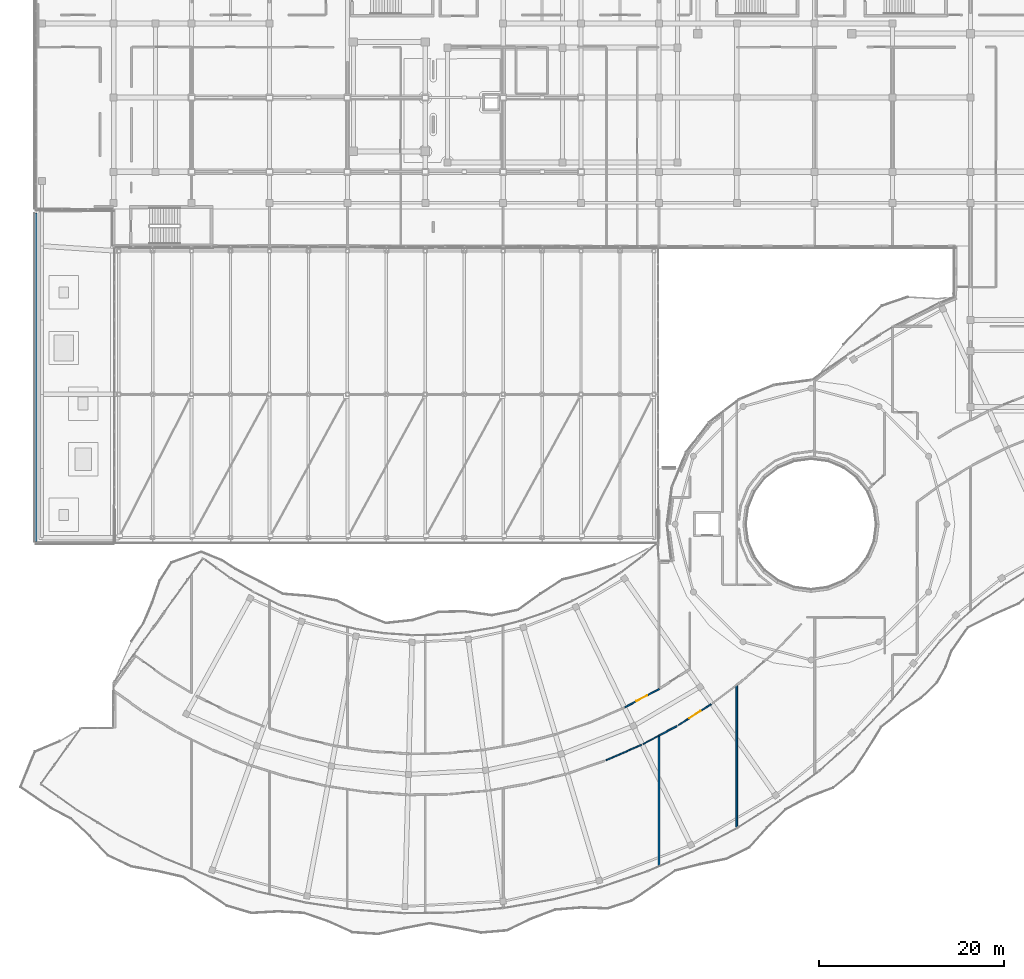
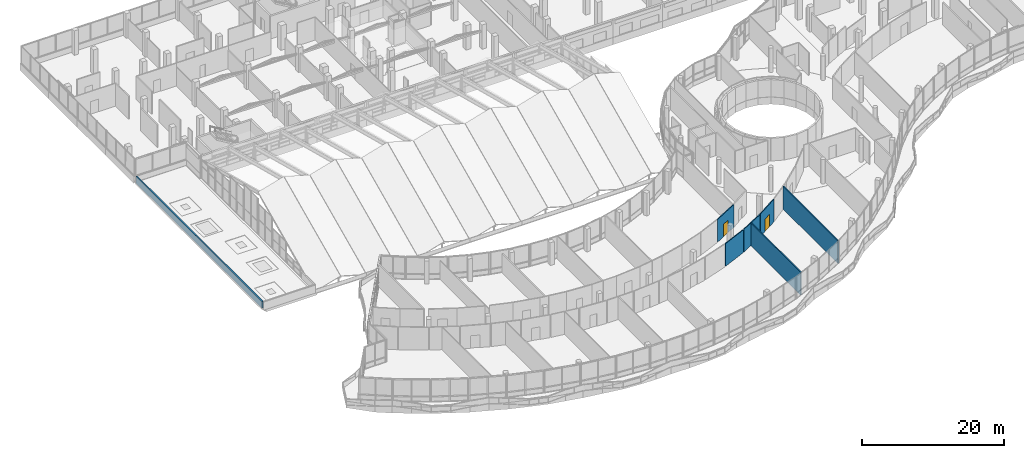
# One storey, part 161 of 184: 8 walls, 2 doors, 2 openings.
"""IFC4 building model written with IfcOpenShell, lengths in metres."""

import ifcopenshell
import ifcopenshell.guid

model = None  # the IFC model being written
_history = None  # IfcOwnerHistory: only IFC2X3 demands one
_inside = {}  # id of a spatial element -> (the spatial element, [elements in it])
_under = {}  # id of a project, library or spatial element -> (it, [spatial elements below it])
_declared = {}  # id of a project -> (the project, [libraries it declares])
_typed = {}  # id of a type object -> (the type object, [elements of that type])
_made_of = {}  # id of a material, layer set ... -> (it, [elements and type objects made of it])


def new_model(schema):
    """Start an empty IFC model of exactly this schema.

    Asked for "IFC4X3", IfcOpenShell would pick the latest addendum, in which some entities
    have other attributes; the version numbers below select the first issue.
    IFC2X3 requires an IfcOwnerHistory on every rooted entity: one is made here for all.
    """
    global model, _history
    if schema == "IFC4X3":
        model = ifcopenshell.file(schema_version=(4, 3, 0, 0))
    else:
        model = ifcopenshell.file(schema=schema)
    _inside.clear()
    _under.clear()
    _declared.clear()
    _typed.clear()
    _made_of.clear()
    _history = None
    if model.schema == "IFC2X3":
        org = make("IfcOrganization", Name="unknown")
        user = make(
            "IfcPersonAndOrganization",
            ThePerson=make("IfcPerson", FamilyName="unknown"),
            TheOrganization=org,
        )
        app = make(
            "IfcApplication",
            ApplicationDeveloper=org,
            Version="unknown",
            ApplicationFullName="unknown",
            ApplicationIdentifier="unknown",
        )
        _history = make(
            "IfcOwnerHistory",
            OwningUser=user,
            OwningApplication=app,
            ChangeAction="ADDED",
            CreationDate=0,
        )
    return model


def make(cls, **values):
    """One entity of the class cls with the attributes given. An attribute that is None is left unset."""
    return model.create_entity(
        cls, **{name: value for name, value in values.items() if value is not None}
    )


def rooted(cls, **values):
    """An entity with a GlobalId (a new one), such as an element, a storey or a relation."""
    return make(cls, GlobalId=ifcopenshell.guid.new(), OwnerHistory=_history, **values)


def si_unit(unit_type, name, prefix=None):
    """IfcSIUnit, for example si_unit("LENGTHUNIT", "METRE", prefix="MILLI")."""
    return make("IfcSIUnit", UnitType=unit_type, Prefix=prefix, Name=name)


def assignment(units):
    """IfcUnitAssignment: the units of a project."""
    return None if units is None else make("IfcUnitAssignment", Units=units)


def point(xyz):
    """IfcCartesianPoint."""
    return None if xyz is None else make("IfcCartesianPoint", Coordinates=xyz)


def direction(xyz):
    """IfcDirection."""
    return None if xyz is None else make("IfcDirection", DirectionRatios=xyz)


def frame(location, z_axis=None, x_axis=None):
    """IfcAxis2Placement3D, a coordinate frame: its origin and axes. An axis left out is left unset."""
    return make(
        "IfcAxis2Placement3D",
        Location=point(location),
        Axis=direction(z_axis),
        RefDirection=direction(x_axis),
    )


def frame_2d(location, x_axis=None):
    """IfcAxis2Placement2D, a coordinate frame in the plane: its origin and x axis."""
    return make(
        "IfcAxis2Placement2D", Location=point(location), RefDirection=direction(x_axis)
    )


def origin():
    """The frame at (0, 0, 0) with its axes left unset."""
    return frame((0.0, 0.0, 0.0))


def place(relative_to, where):
    """IfcLocalPlacement: puts the frame where relative to a parent placement (None: the world)."""
    return make(
        "IfcLocalPlacement", PlacementRelTo=relative_to, RelativePlacement=where
    )


def context(
    kind, dimensions, precision=None, world=None, true_north=None, identifier=None
):
    """IfcGeometricRepresentationContext, for example the 3D "Model" context."""
    return make(
        "IfcGeometricRepresentationContext",
        ContextIdentifier=identifier,
        ContextType=kind,
        CoordinateSpaceDimension=dimensions,
        Precision=precision,
        WorldCoordinateSystem=world,
        TrueNorth=true_north,
    )


def subcontext(parent, identifier, kind, view, scale=None):
    """IfcGeometricRepresentationSubContext, for example "Body" below "Model"."""
    return make(
        "IfcGeometricRepresentationSubContext",
        ContextIdentifier=identifier,
        ContextType=kind,
        ParentContext=parent,
        TargetScale=scale,
        TargetView=view,
    )


def project(units=None, contexts=None):
    """IfcProject with its units and contexts."""
    return rooted(
        "IfcProject",
        Name="project",
        RepresentationContexts=contexts,
        UnitsInContext=assignment(units),
    )


def spatial(cls, under=None, at=None, **own):
    """A site, building, storey or space (cls), placed at a placement, below another one or the project."""
    s = rooted(cls, ObjectPlacement=at, **own)
    if under is not None:
        _under.setdefault(under.id(), (under, []))[1].append(s)
    return s


def profile(cls, at=None, kind="AREA", **sizes):
    """A parametric profile (cls). Its sizes go by their IFC names, for example OverallWidth=200.0."""
    return make(cls, ProfileType=kind, Position=at, **sizes)


def rectangle(**sizes):
    """IfcRectangleProfileDef."""
    return profile("IfcRectangleProfileDef", **sizes)


def extrude(swept, where, along, depth):
    """IfcExtrudedAreaSolid: the profile swept, set in the frame where, extruded along a direction by depth."""
    return make(
        "IfcExtrudedAreaSolid",
        SweptArea=swept,
        Position=where,
        ExtrudedDirection=direction(along),
        Depth=depth,
    )


def shape(context_of_items, identifier, shape_type, items):
    """IfcShapeRepresentation: the items that make up one representation, for example the "Body"."""
    return make(
        "IfcShapeRepresentation",
        ContextOfItems=context_of_items,
        RepresentationIdentifier=identifier,
        RepresentationType=shape_type,
        Items=items,
    )


def material(Name=None, Category=None):
    """IfcMaterial."""
    return make("IfcMaterial", Name=Name, Category=Category)


def layer(
    of_material, thickness, ventilated=None, Name=None, Category=None, Priority=None
):
    """IfcMaterialLayer: one layer of a wall or slab, of a material (None: an air gap)."""
    return make(
        "IfcMaterialLayer",
        Material=of_material,
        LayerThickness=thickness,
        IsVentilated=ventilated,
        Name=Name,
        Category=Category,
        Priority=Priority,
    )


def layer_set(layers, Name=None):
    """IfcMaterialLayerSet."""
    return make("IfcMaterialLayerSet", MaterialLayers=layers, LayerSetName=Name)


def made_of(thing, what):
    """Note that an element or type object is made of a material, layer set ...; save() writes the relation."""
    if what is not None:
        _made_of.setdefault(what.id(), (what, []))[1].append(thing)
    return thing


def type_object(cls, material=None, **own):
    """A type object (cls), such as IfcWallType, which elements share."""
    return made_of(rooted(cls, **own), material)


def element(
    cls,
    number,
    at=None,
    inside=None,
    cuts=None,
    type_object=None,
    material=None,
    context=None,
    identifier="Body",
    shape_type=None,
    held_by="IfcProductDefinitionShape",
    body=None,
    shapes=None,
    **own,
):
    """One element of the class cls, such as IfcWall. Its Tag is "e" and its number.

    at: its placement. inside: the storey or other place that contains it. cuts: it is an
    opening in that element (IfcRelVoidsElement). A single representation is given by context,
    identifier, shape_type and body (its items); several are given by shapes. held_by: the class
    of the entity that holds the representations. save() writes the other relations.
    """
    e = rooted(cls, Tag="e%d" % number, ObjectPlacement=at, **own)
    if body is not None:
        shapes = [shape(context, identifier, shape_type, body)]
    if shapes is not None:
        e.Representation = make(held_by, Representations=shapes)
    if inside is not None:
        _inside.setdefault(inside.id(), (inside, []))[1].append(e)
    if cuts is not None:
        rooted(
            "IfcRelVoidsElement", RelatingBuildingElement=cuts, RelatedOpeningElement=e
        )
    if type_object is not None:
        _typed.setdefault(type_object.id(), (type_object, []))[1].append(e)
    return made_of(e, material)


def fill(opening, filler):
    """IfcRelFillsElement: the door or window that sits in an opening."""
    return rooted(
        "IfcRelFillsElement",
        RelatingOpeningElement=opening,
        RelatedBuildingElement=filler,
    )


def aggregate(whole, parts):
    """IfcRelAggregates: a whole, such as a stair, and the parts it consists of."""
    return rooted("IfcRelAggregates", RelatingObject=whole, RelatedObjects=parts)


def save(model, path):
    """Write the relations noted so far, then the file.

    IfcRelAggregates (storeys below a building ...), IfcRelContainedInSpatialStructure (elements
    in a storey), IfcRelDefinesByType, IfcRelAssociatesMaterial and IfcRelDeclares: one each for
    every whole, place, type object, material and project.
    """
    for whole, parts in _under.values():
        aggregate(whole, parts)
    for where, things in _inside.values():
        rooted(
            "IfcRelContainedInSpatialStructure",
            RelatedElements=things,
            RelatingStructure=where,
        )
    for kind, things in _typed.values():
        rooted("IfcRelDefinesByType", RelatedObjects=things, RelatingType=kind)
    for what, things in _made_of.values():
        rooted("IfcRelAssociatesMaterial", RelatedObjects=things, RelatingMaterial=what)
    for by, libraries in _declared.values():
        rooted("IfcRelDeclares", RelatingContext=by, RelatedDefinitions=libraries)
    model.write(path)


model = new_model("IFC4")

# Units and contexts
model_context = context("Model", 3, precision=1e-05, world=origin(), true_north=direction((0.0, 1.0)))
body_context = subcontext(model_context, "Body", "Model", "MODEL_VIEW")
ifc_project = project(units=[si_unit("LENGTHUNIT", "METRE"), si_unit("AREAUNIT", "SQUARE_METRE"), si_unit("VOLUMEUNIT", "CUBIC_METRE"), si_unit("PLANEANGLEUNIT", "RADIAN"), si_unit("MASSUNIT", "GRAM", prefix="KILO")], contexts=[model_context])

# Site, building, storey
site_placement = place(None, origin())
site = spatial("IfcSite", under=ifc_project, at=site_placement, CompositionType="ELEMENT")
building_placement = place(site_placement, origin())
building = spatial("IfcBuilding", under=site, at=building_placement, Name="Selatvlak General Hospital", CompositionType="ELEMENT")
storey_placement = place(building_placement, frame((0.0, 0.0, 15.0)))
storey = spatial("IfcBuildingStorey", under=building, at=storey_placement, Name="L03", CompositionType="ELEMENT", Elevation=15.0)

# Walls
ifc_material_1 = material(Name="Precast concrete C40/50 - white fair-faced", Category="concrete")
ifc_layer_1 = layer(ifc_material_1, 0.219970703125, Name="Precast concrete C40/50 - white fair-faced", Category="concrete")
ifc_layer_set_1 = layer_set([ifc_layer_1], Name="Precast concrete C40/50 - white fair-faced")
wall_type_1 = type_object("IfcWallType", Name="WALL-PR-02", PredefinedType="PARAPET", material=ifc_layer_set_1)
wall_1_placement = place(storey_placement, frame((14.39990234375, 52.10791015625, 0.050048828125), z_axis=(0.0, 0.0, 1.0), x_axis=(0.0, 1.0, 0.0)))
element("IfcWall", 1, at=wall_1_placement, inside=storey, type_object=wall_type_1, Name="L03 roof parapet upstand PAR-L03-030", PredefinedType="PARAPET", context=body_context, shape_type="SweptSolid", body=[
    extrude(rectangle(XDim=35.43212890625, YDim=0.219970703125, at=frame_2d((17.716064453125, 0.0))), origin(), (0.0, 0.0, 1.0), 1.14990234375),
])
ifc_material_2 = material(Name="Acoustic gypsum stud partition")
ifc_layer_2 = layer(ifc_material_2, 0.179931640625, Name="Acoustic gypsum stud partition")
ifc_layer_set_2 = layer_set([ifc_layer_2], Name="Acoustic gypsum stud partition")
wall_type_2 = type_object("IfcWallType", Name="WALL-PT-01", PredefinedType="PARTITIONING", material=ifc_layer_set_2)
wall_2_placement = place(storey_placement, frame((81.60009765625, 31.133056640625, 0.0), z_axis=(0.0, 0.0, 1.0), x_axis=(0.0, -1.0, 0.0)))
element("IfcWall", 2, at=wall_2_placement, inside=storey, type_object=wall_type_2, Name="L03 clinical partition PT-L03-1425", PredefinedType="PARTITIONING", context=body_context, shape_type="SweptSolid", body=[
    extrude(rectangle(XDim=14.0380859375, YDim=0.179931640625, at=frame_2d((7.01904296875, 0.0))), origin(), (0.0, 0.0, 1.0), 3.89501953125),
])
wall_3_placement = place(storey_placement, frame((90.0, 36.60400390625, 0.0), z_axis=(0.0, 0.0, 1.0), x_axis=(0.0, -1.0, 0.0)))
element("IfcWall", 3, at=wall_3_placement, inside=storey, type_object=wall_type_2, Name="L03 clinical partition PT-L03-1435", PredefinedType="PARTITIONING", context=body_context, shape_type="SweptSolid", body=[
    extrude(rectangle(XDim=15.39794921875, YDim=0.179931640625, at=frame_2d((7.698974609375, 0.0))), origin(), (0.0, 0.0, 1.0), 3.89501953125),
])

# Wall, opening, door
ifc_layer_3 = layer(ifc_material_2, 0.14990234375, Name="Acoustic gypsum stud partition")
ifc_layer_set_3 = layer_set([ifc_layer_3], Name="Acoustic gypsum stud partition")
wall_type_3 = type_object("IfcWallType", Name="WALL-PT-03", PredefinedType="PARTITIONING", material=ifc_layer_set_3)
wall_4_placement = place(storey_placement, frame((81.638916015625, 36.22607421875, 0.0), z_axis=(0.0, 0.0, 1.0), x_axis=(-0.882373557975, -0.470549576758, 0.0)))
wall_4 = element("IfcWall", 4, at=wall_4_placement, inside=storey, type_object=wall_type_3, Name="L03 clinical partition PT-L03-1427", PredefinedType="PARTITIONING", context=body_context, shape_type="SweptSolid", body=[
    extrude(rectangle(XDim=4.26123046875, YDim=0.14990234375, at=frame_2d((2.130615234375, 0.0))), origin(), (0.0, 0.0, 1.0), 3.89501953125),
])
opening_1_placement = place(wall_4_placement, frame((1.48095703125, 0.0, 0.0)))
opening_1 = element("IfcOpeningElement", 5, at=opening_1_placement, cuts=wall_4, Name="Opening D-24", PredefinedType="OPENING", context=body_context, shape_type="SweptSolid", body=[
    extrude(rectangle(XDim=1.300048828125, YDim=2.14990234375, at=frame_2d((0.64990234375, 1.074951171875))), frame((0.0, 0.0849609375, 0.0), z_axis=(0.0, -1.0, 0.0), x_axis=(1.0, 0.0, 0.0)), (0.0, 0.0, 1.0), 0.169921875),
])
ifc_material_3 = material(Name="Oncology bay door")
door_type_1 = type_object("IfcDoorType", Name="DOOR-D-24", OperationType="NOTDEFINED", PredefinedType="DOOR", material=ifc_material_3)
door_1_placement = place(opening_1_placement, origin())
door_1 = element("IfcDoor", 6, at=door_1_placement, inside=storey, type_object=door_type_1, Name="L03 Renal Haemodialysis Suite 11 door", OperationType="SINGLE_SWING_RIGHT", OverallHeight=2.14990234375, OverallWidth=1.300048828125, PredefinedType="DOOR", context=body_context, shape_type="SweptSolid", body=[
    extrude(rectangle(XDim=1.300048828125, YDim=2.14990234375, at=frame_2d((0.64990234375, 1.074951171875))), frame((0.0, 0.02490234375, 0.0), z_axis=(0.0, -1.0, 0.0), x_axis=(1.0, 0.0, 0.0)), (0.0, 0.0, 1.0), 0.050048828125),
])
fill(opening_1, door_1)

# Walls
wall_5_placement = place(storey_placement, frame((81.60009765625, 31.196044921875, 0.0), z_axis=(0.0, 0.0, 1.0), x_axis=(0.882365080709, 0.470565472963, 0.0)))
element("IfcWall", 7, at=wall_5_placement, inside=storey, type_object=wall_type_3, Name="L03 clinical partition PT-L03-1432", PredefinedType="PARTITIONING", context=body_context, shape_type="SweptSolid", body=[
    extrude(rectangle(XDim=2.226806640625, YDim=0.14990234375, at=frame_2d((1.11328125, 0.0))), origin(), (0.0, 0.0, 1.0), 3.89501953125),
])
ifc_material_4 = material(Name="Moisture-resistant clinical partition")
ifc_layer_4 = layer(ifc_material_4, 0.135009765625, Name="Moisture-resistant clinical partition")
ifc_layer_set_4 = layer_set([ifc_layer_4], Name="Moisture-resistant clinical partition")
wall_type_4 = type_object("IfcWallType", Name="WALL-PT-04", PredefinedType="PARTITIONING", material=ifc_layer_set_4)
wall_6_placement = place(storey_placement, frame((75.89697265625, 28.5380859375, 0.0), z_axis=(0.0, 0.0, 1.0), x_axis=(0.916891425258, 0.399136711276, 0.0)))
element("IfcWall", 8, at=wall_6_placement, inside=storey, type_object=wall_type_4, Name="L03 clinical partition PT-L03-1423", PredefinedType="PARTITIONING", context=body_context, shape_type="SweptSolid", body=[
    extrude(rectangle(XDim=4.174072265625, YDim=0.135009765625, at=frame_2d((2.0869140625, 0.0))), origin(), (0.0, 0.0, 1.0), 3.89501953125),
])

# Wall, opening, door
wall_7_placement = place(storey_placement, frame((83.716064453125, 32.3330078125, 0.0), z_axis=(0.0, 0.0, 1.0), x_axis=(0.842288395676, 0.539027140792, 0.0)))
wall_7 = element("IfcWall", 9, at=wall_7_placement, inside=storey, type_object=wall_type_4, Name="L03 clinical partition PT-L03-1433", PredefinedType="PARTITIONING", context=body_context, shape_type="SweptSolid", body=[
    extrude(rectangle(XDim=4.174072265625, YDim=0.135009765625, at=frame_2d((2.0869140625, 0.0))), origin(), (0.0, 0.0, 1.0), 3.89501953125),
])
opening_2_placement = place(wall_7_placement, frame((1.362060546875, 0.0, 0.0)))
opening_2 = element("IfcOpeningElement", 10, at=opening_2_placement, cuts=wall_7, Name="Opening D-12", PredefinedType="OPENING", context=body_context, shape_type="SweptSolid", body=[
    extrude(rectangle(XDim=1.449951171875, YDim=2.14990234375, at=frame_2d((0.72509765625, 1.074951171875))), frame((0.0, 0.077392578125, 0.0), z_axis=(0.0, -1.0, 0.0), x_axis=(1.0, 0.0, 0.0)), (0.0, 0.0, 1.0), 0.155029296875),
])
ifc_material_5 = material(Name="Isolation anteroom door")
door_type_2 = type_object("IfcDoorType", Name="DOOR-D-12", OperationType="NOTDEFINED", PredefinedType="DOOR", material=ifc_material_5)
door_2_placement = place(opening_2_placement, origin())
door_2 = element("IfcDoor", 11, at=door_2_placement, inside=storey, type_object=door_type_2, Name="L03 Oncology Aseptic Pharmacy 12 door", OperationType="SINGLE_SWING_LEFT", OverallHeight=2.14990234375, OverallWidth=1.449951171875, PredefinedType="DOOR", context=body_context, shape_type="SweptSolid", body=[
    extrude(rectangle(XDim=1.449951171875, YDim=2.14990234375, at=frame_2d((0.72509765625, 1.074951171875))), frame((0.0, 0.02490234375, 0.0), z_axis=(0.0, -1.0, 0.0), x_axis=(1.0, 0.0, 0.0)), (0.0, 0.0, 1.0), 0.050048828125),
])
fill(opening_2, door_2)

# Wall
ifc_layer_5 = layer(ifc_material_4, 0.1201171875, Name="Moisture-resistant clinical partition")
ifc_layer_set_5 = layer_set([ifc_layer_5], Name="Moisture-resistant clinical partition")
wall_type_5 = type_object("IfcWallType", Name="WALL-PT-05", PredefinedType="PARTITIONING", material=ifc_layer_set_5)
wall_8_placement = place(storey_placement, frame((79.882080078125, 30.280029296875, 0.0), z_axis=(0.0, 0.0, 1.0), x_axis=(0.882408473544, 0.470484097305, 0.0)))
element("IfcWall", 12, at=wall_8_placement, inside=storey, type_object=wall_type_5, Name="L03 clinical partition PT-L03-1424", PredefinedType="PARTITIONING", context=body_context, shape_type="SweptSolid", body=[
    extrude(rectangle(XDim=1.947021484375, YDim=0.1201171875, at=frame_2d((0.9736328125, 0.0))), origin(), (0.0, 0.0, 1.0), 3.89501953125),
])

save(model, "model.ifc")
